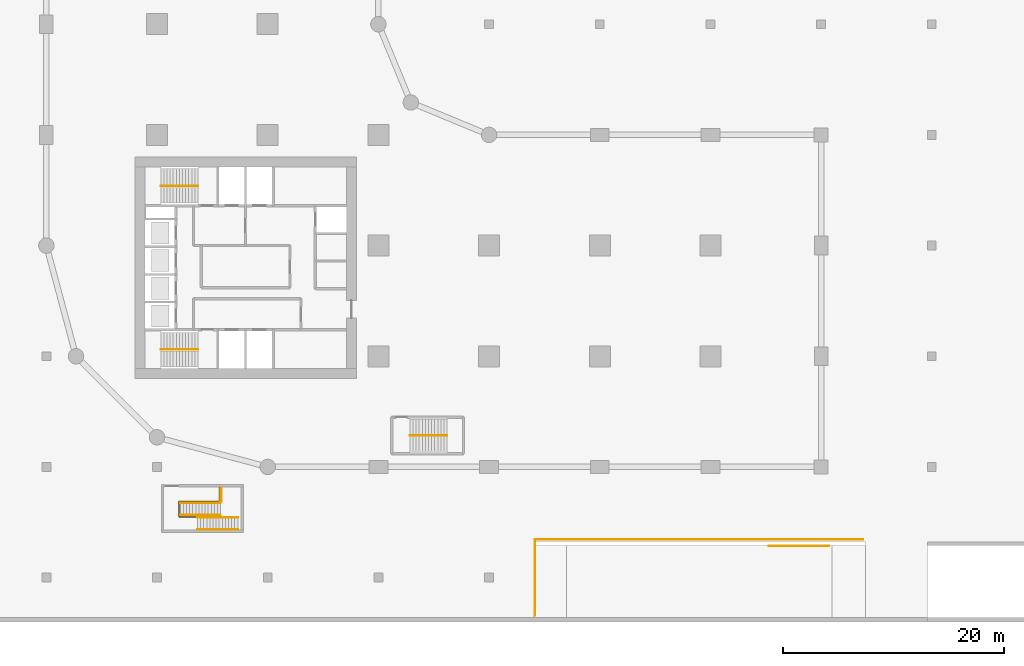
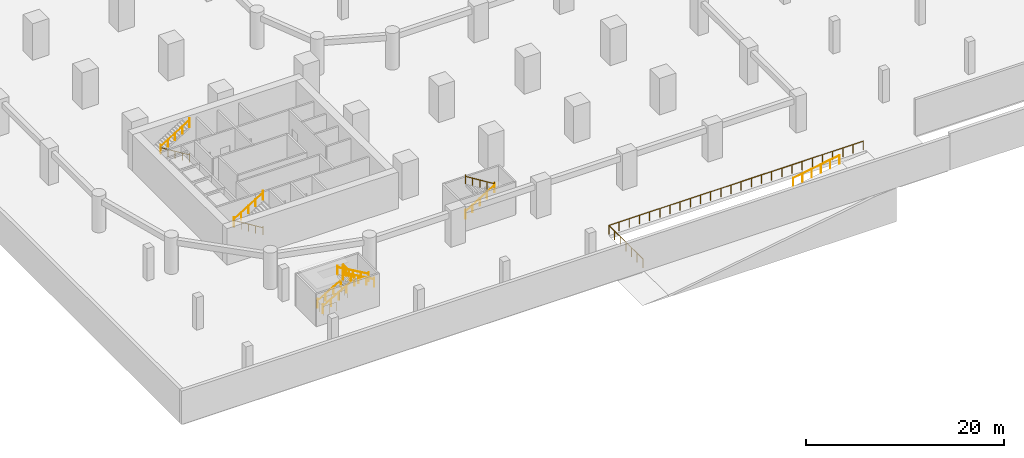
# One storey, part 14 of 19: 14 railings.
"""IFC4 building model written with IfcOpenShell, lengths in metres."""

from ifc_helpers import new_model, si_unit, direction, frame, origin, origin_2d, place, context, subcontext, project, spatial, circle, extrude, material, type_object, element, save


model = new_model("IFC4")

# Units and contexts
model_context = context("Model", 3, precision=1e-05, world=origin(), true_north=direction((0.0, 1.0)))
body_context = subcontext(model_context, "Body", "Model", "MODEL_VIEW")
ifc_project = project(units=[si_unit("LENGTHUNIT", "METRE"), si_unit("AREAUNIT", "SQUARE_METRE"), si_unit("VOLUMEUNIT", "CUBIC_METRE"), si_unit("PLANEANGLEUNIT", "RADIAN"), si_unit("MASSUNIT", "GRAM", prefix="KILO")], contexts=[model_context])

# Site, building, storey
site_placement = place(None, origin())
site = spatial("IfcSite", under=ifc_project, at=site_placement, CompositionType="ELEMENT")
building_placement = place(site_placement, origin())
building = spatial("IfcBuilding", under=site, at=building_placement, Name="Qaws Garden Tower", CompositionType="ELEMENT")
storey_placement = place(building_placement, frame((0.0, 0.0, -4.5)))
storey = spatial("IfcBuildingStorey", under=building, at=storey_placement, Name="B1", CompositionType="ELEMENT", Elevation=-4.5)

# Railings
ifc_material_1 = material(Name="Steel S355", Category="steel")
railing_type_1 = type_object("IfcRailingType", Name="Guard steel balustrade 1100", PredefinedType="GUARDRAIL", material=ifc_material_1)
railing_1_placement = place(storey_placement, frame((70.699951171875, -7.139892578125, -0.300048828125)))
element("IfcRailing", 1, at=railing_1_placement, inside=storey, type_object=railing_type_1, Name="Ramp B2 guard on ramp", PredefinedType="GUARDRAIL", context=body_context, shape_type="SweptSolid", body=[
    extrude(circle(Radius=0.02392578125, at=origin_2d()), frame((0.0, 0.0, 1.076171875), z_axis=(-0.986396334374, 0.0, -0.164384523397), x_axis=(0.0, -1.0, 0.0)), (0.0, 0.0, 1.0), 5.474365234375),
    extrude(circle(Radius=0.02099609375, at=origin_2d()), origin(), (0.0, 0.0, 1.0), 1.052001953125),
    extrude(circle(Radius=0.02099609375, at=origin_2d()), frame((-1.080078125, 0.0, -0.179931640625)), (0.0, 0.0, 1.0), 1.052001953125),
    extrude(circle(Radius=0.02099609375, at=origin_2d()), frame((-2.159912109375, 0.0, -0.35986328125)), (0.0, 0.0, 1.0), 1.052001953125),
    extrude(circle(Radius=0.02099609375, at=origin_2d()), frame((-3.239990234375, 0.0, -0.5400390625)), (0.0, 0.0, 1.0), 1.052001953125),
    extrude(circle(Radius=0.02099609375, at=origin_2d()), frame((-4.31982421875, 0.0, -0.719970703125)), (0.0, 0.0, 1.0), 1.052001953125),
    extrude(circle(Radius=0.02099609375, at=origin_2d()), frame((-5.39990234375, 0.0, -0.89990234375)), (0.0, 0.0, 1.0), 1.052001953125),
])
railing_2_placement = place(storey_placement, frame((73.800048828125, -6.550048828125, 0.0)))
element("IfcRailing", 2, at=railing_2_placement, inside=storey, type_object=railing_type_1, Name="Ramp B2 guard", PredefinedType="GUARDRAIL", context=body_context, shape_type="SweptSolid", body=[
    extrude(circle(Radius=0.02392578125, at=origin_2d()), frame((0.0, 0.0, 1.076171875), z_axis=(-1.0, 0.0, 0.0), x_axis=(0.0, -1.0, 0.0)), (0.0, 0.0, 1.0), 29.650146484375),
    extrude(circle(Radius=0.02392578125, at=origin_2d()), frame((-29.650146484375, 0.0, 1.076171875), z_axis=(0.0, -1.0, 0.0), x_axis=(1.0, 0.0, 0.0)), (0.0, 0.0, 1.0), 6.849853515625),
    extrude(circle(Radius=0.02099609375, at=origin_2d()), origin(), (0.0, 0.0, 1.0), 1.052001953125),
    extrude(circle(Radius=0.02099609375, at=origin_2d()), frame((-1.18603515625, 0.0, 0.0)), (0.0, 0.0, 1.0), 1.052001953125),
    extrude(circle(Radius=0.02099609375, at=origin_2d()), frame((-2.3720703125, 0.0, 0.0)), (0.0, 0.0, 1.0), 1.052001953125),
    extrude(circle(Radius=0.02099609375, at=origin_2d()), frame((-3.55810546875, 0.0, 0.0)), (0.0, 0.0, 1.0), 1.052001953125),
    extrude(circle(Radius=0.02099609375, at=origin_2d()), frame((-4.744140625, 0.0, 0.0)), (0.0, 0.0, 1.0), 1.052001953125),
    extrude(circle(Radius=0.02099609375, at=origin_2d()), frame((-5.929931640625, 0.0, 0.0)), (0.0, 0.0, 1.0), 1.052001953125),
    extrude(circle(Radius=0.02099609375, at=origin_2d()), frame((-7.115966796875, 0.0, 0.0)), (0.0, 0.0, 1.0), 1.052001953125),
    extrude(circle(Radius=0.02099609375, at=origin_2d()), frame((-8.302001953125, 0.0, 0.0)), (0.0, 0.0, 1.0), 1.052001953125),
    extrude(circle(Radius=0.02099609375, at=origin_2d()), frame((-9.488037109375, 0.0, 0.0)), (0.0, 0.0, 1.0), 1.052001953125),
    extrude(circle(Radius=0.02099609375, at=origin_2d()), frame((-10.674072265625, 0.0, 0.0)), (0.0, 0.0, 1.0), 1.052001953125),
    extrude(circle(Radius=0.02099609375, at=origin_2d()), frame((-11.860107421875, 0.0, 0.0)), (0.0, 0.0, 1.0), 1.052001953125),
    extrude(circle(Radius=0.02099609375, at=origin_2d()), frame((-13.046142578125, 0.0, 0.0)), (0.0, 0.0, 1.0), 1.052001953125),
    extrude(circle(Radius=0.02099609375, at=origin_2d()), frame((-14.232177734375, 0.0, 0.0)), (0.0, 0.0, 1.0), 1.052001953125),
    extrude(circle(Radius=0.02099609375, at=origin_2d()), frame((-15.41796875, 0.0, 0.0)), (0.0, 0.0, 1.0), 1.052001953125),
    extrude(circle(Radius=0.02099609375, at=origin_2d()), frame((-16.60400390625, 0.0, 0.0)), (0.0, 0.0, 1.0), 1.052001953125),
    extrude(circle(Radius=0.02099609375, at=origin_2d()), frame((-17.7900390625, 0.0, 0.0)), (0.0, 0.0, 1.0), 1.052001953125),
    extrude(circle(Radius=0.02099609375, at=origin_2d()), frame((-18.97607421875, 0.0, 0.0)), (0.0, 0.0, 1.0), 1.052001953125),
    extrude(circle(Radius=0.02099609375, at=origin_2d()), frame((-20.162109375, 0.0, 0.0)), (0.0, 0.0, 1.0), 1.052001953125),
    extrude(circle(Radius=0.02099609375, at=origin_2d()), frame((-21.34814453125, 0.0, 0.0)), (0.0, 0.0, 1.0), 1.052001953125),
    extrude(circle(Radius=0.02099609375, at=origin_2d()), frame((-22.5341796875, 0.0, 0.0)), (0.0, 0.0, 1.0), 1.052001953125),
    extrude(circle(Radius=0.02099609375, at=origin_2d()), frame((-23.72021484375, 0.0, 0.0)), (0.0, 0.0, 1.0), 1.052001953125),
    extrude(circle(Radius=0.02099609375, at=origin_2d()), frame((-24.906005859375, 0.0, 0.0)), (0.0, 0.0, 1.0), 1.052001953125),
    extrude(circle(Radius=0.02099609375, at=origin_2d()), frame((-26.092041015625, 0.0, 0.0)), (0.0, 0.0, 1.0), 1.052001953125),
    extrude(circle(Radius=0.02099609375, at=origin_2d()), frame((-27.278076171875, 0.0, 0.0)), (0.0, 0.0, 1.0), 1.052001953125),
    extrude(circle(Radius=0.02099609375, at=origin_2d()), frame((-28.464111328125, 0.0, 0.0)), (0.0, 0.0, 1.0), 1.052001953125),
    extrude(circle(Radius=0.02099609375, at=origin_2d()), frame((-29.650146484375, 0.0, 0.0)), (0.0, 0.0, 1.0), 1.052001953125),
    extrude(circle(Radius=0.02099609375, at=origin_2d()), frame((-29.650146484375, -1.1416015625, 0.0)), (0.0, 0.0, 1.0), 1.052001953125),
    extrude(circle(Radius=0.02099609375, at=origin_2d()), frame((-29.650146484375, -2.283203125, 0.0)), (0.0, 0.0, 1.0), 1.052001953125),
    extrude(circle(Radius=0.02099609375, at=origin_2d()), frame((-29.650146484375, -3.4248046875, 0.0)), (0.0, 0.0, 1.0), 1.052001953125),
    extrude(circle(Radius=0.02099609375, at=origin_2d()), frame((-29.650146484375, -4.566650390625, 0.0)), (0.0, 0.0, 1.0), 1.052001953125),
    extrude(circle(Radius=0.02099609375, at=origin_2d()), frame((-29.650146484375, -5.708251953125, 0.0)), (0.0, 0.0, 1.0), 1.052001953125),
    extrude(circle(Radius=0.02099609375, at=origin_2d()), frame((-29.650146484375, -6.849853515625, 0.0)), (0.0, 0.0, 1.0), 1.052001953125),
])
railing_3_placement = place(storey_placement, frame((15.639892578125, -1.89990234375, 0.0)))
element("IfcRailing", 3, at=railing_3_placement, inside=storey, type_object=railing_type_1, Name="Stair opening guard", PredefinedType="GUARDRAIL", context=body_context, shape_type="SweptSolid", body=[
    extrude(circle(Radius=0.02392578125, at=origin_2d()), frame((0.0, 0.0, 1.076171875), z_axis=(0.0, -1.0, 0.0), x_axis=(1.0, 0.0, 0.0)), (0.0, 0.0, 1.0), 1.2001953125),
    extrude(circle(Radius=0.02392578125, at=origin_2d()), frame((0.0, -1.2001953125, 1.076171875), z_axis=(-1.0, 0.0, 0.0), x_axis=(0.0, -1.0, 0.0)), (0.0, 0.0, 1.0), 3.639892578125),
    extrude(circle(Radius=0.02392578125, at=origin_2d()), frame((-3.639892578125, -1.2001953125, 1.076171875), z_axis=(0.0, -1.0, 0.0), x_axis=(1.0, 0.0, 0.0)), (0.0, 0.0, 1.0), 1.39990234375),
    extrude(circle(Radius=0.02392578125, at=origin_2d()), frame((-3.639892578125, -2.60009765625, 1.076171875), z_axis=(1.0, 0.0, 0.0), x_axis=(0.0, 1.0, 0.0)), (0.0, 0.0, 1.0), 1.56005859375),
    extrude(circle(Radius=0.02099609375, at=origin_2d()), origin(), (0.0, 0.0, 1.0), 1.052001953125),
    extrude(circle(Radius=0.02099609375, at=origin_2d()), frame((0.0, -0.60009765625, 0.0)), (0.0, 0.0, 1.0), 1.052001953125),
    extrude(circle(Radius=0.02099609375, at=origin_2d()), frame((0.0, -1.2001953125, 0.0)), (0.0, 0.0, 1.0), 1.052001953125),
    extrude(circle(Radius=0.02099609375, at=origin_2d()), frame((-0.909912109375, -1.2001953125, 0.0)), (0.0, 0.0, 1.0), 1.052001953125),
    extrude(circle(Radius=0.02099609375, at=origin_2d()), frame((-1.81982421875, -1.2001953125, 0.0)), (0.0, 0.0, 1.0), 1.052001953125),
    extrude(circle(Radius=0.02099609375, at=origin_2d()), frame((-2.72998046875, -1.2001953125, 0.0)), (0.0, 0.0, 1.0), 1.052001953125),
    extrude(circle(Radius=0.02099609375, at=origin_2d()), frame((-3.639892578125, -1.2001953125, 0.0)), (0.0, 0.0, 1.0), 1.052001953125),
    extrude(circle(Radius=0.02099609375, at=origin_2d()), frame((-3.639892578125, -1.900146484375, 0.0)), (0.0, 0.0, 1.0), 1.052001953125),
    extrude(circle(Radius=0.02099609375, at=origin_2d()), frame((-3.639892578125, -2.60009765625, 0.0)), (0.0, 0.0, 1.0), 1.052001953125),
    extrude(circle(Radius=0.02099609375, at=origin_2d()), frame((-2.85986328125, -2.60009765625, 0.0)), (0.0, 0.0, 1.0), 1.052001953125),
    extrude(circle(Radius=0.02099609375, at=origin_2d()), frame((-2.079833984375, -2.60009765625, 0.0)), (0.0, 0.0, 1.0), 1.052001953125),
])
railing_4_placement = place(storey_placement, frame((15.840087890625, -1.89990234375, 2.25)))
element("IfcRailing", 4, at=railing_4_placement, inside=storey, type_object=railing_type_1, Name="Stair landing guard", PredefinedType="GUARDRAIL", context=body_context, shape_type="SweptSolid", body=[
    extrude(circle(Radius=0.02392578125, at=origin_2d()), frame((0.0, 0.0, 1.076171875), z_axis=(0.0, -1.0, 0.0), x_axis=(1.0, 0.0, 0.0)), (0.0, 0.0, 1.0), 1.2001953125),
    extrude(circle(Radius=0.02099609375, at=origin_2d()), origin(), (0.0, 0.0, 1.0), 1.052001953125),
    extrude(circle(Radius=0.02099609375, at=origin_2d()), frame((0.0, -0.60009765625, 0.0)), (0.0, 0.0, 1.0), 1.052001953125),
    extrude(circle(Radius=0.02099609375, at=origin_2d()), frame((0.0, -1.2001953125, 0.0)), (0.0, 0.0, 1.0), 1.052001953125),
])
ifc_material_2 = material(Name="Stainless steel 316", Category="steel")
railing_type_2 = type_object("IfcRailingType", Name="Handrail 900", PredefinedType="HANDRAIL", material=ifc_material_2)
for number, where, name in (
    (5, (12.10009765625, -3.25, 0.16064453125), "Stair handrail"),
    (6, (12.10009765625, -4.35009765625, 0.16064453125), "Stair handrail"),
):
    element("IfcRailing", number, at=place(storey_placement, frame(where)), inside=storey, type_object=railing_type_2, Name=name, PredefinedType="HANDRAIL", context=body_context, shape_type="SweptSolid", body=[
        extrude(circle(Radius=0.02392578125, at=origin_2d()), frame((0.0, 0.0, 0.8759765625), z_axis=(0.8672749571, 0.0, 0.497829437445), x_axis=(0.0, 1.0, 0.0)), (0.0, 0.0, 1.0), 4.197021484375),
        extrude(circle(Radius=0.02099609375, at=origin_2d()), origin(), (0.0, 0.0, 1.0), 1.06103515625),
        extrude(circle(Radius=0.02099609375, at=origin_2d()), frame((0.909912109375, 0.0, 0.5224609375)), (0.0, 0.0, 1.0), 0.851806640625),
        extrude(circle(Radius=0.02099609375, at=origin_2d()), frame((1.81982421875, 0.0, 1.044677734375)), (0.0, 0.0, 1.0), 0.851806640625),
        extrude(circle(Radius=0.02099609375, at=origin_2d()), frame((2.72998046875, 0.0, 1.56689453125)), (0.0, 0.0, 1.0), 0.851806640625),
        extrude(circle(Radius=0.02099609375, at=origin_2d()), frame((3.639892578125, 0.0, 2.08935546875)), (0.0, 0.0, 1.0), 1.06103515625),
    ])
for number, where, name in (
    (7, (17.300048828125, -4.550048828125, 2.41064453125), "Stair handrail"),
    (8, (17.300048828125, -5.64990234375, 2.41064453125), "Stair handrail"),
):
    element("IfcRailing", number, at=place(storey_placement, frame(where)), inside=storey, type_object=railing_type_2, Name=name, PredefinedType="HANDRAIL", context=body_context, shape_type="SweptSolid", body=[
        extrude(circle(Radius=0.02392578125, at=origin_2d()), frame((0.0, 0.0, 0.8759765625), z_axis=(-0.867289372828, 0.0, 0.497804322781), x_axis=(0.0, -1.0, 0.0)), (0.0, 0.0, 1.0), 4.197021484375),
        extrude(circle(Radius=0.02099609375, at=origin_2d()), origin(), (0.0, 0.0, 1.0), 1.06103515625),
        extrude(circle(Radius=0.02099609375, at=origin_2d()), frame((-0.91015625, 0.0, 0.5224609375)), (0.0, 0.0, 1.0), 0.851806640625),
        extrude(circle(Radius=0.02099609375, at=origin_2d()), frame((-1.820068359375, 0.0, 1.044677734375)), (0.0, 0.0, 1.0), 0.851806640625),
        extrude(circle(Radius=0.02099609375, at=origin_2d()), frame((-2.72998046875, 0.0, 1.56689453125)), (0.0, 0.0, 1.0), 0.851806640625),
        extrude(circle(Radius=0.02099609375, at=origin_2d()), frame((-3.64013671875, 0.0, 2.08935546875)), (0.0, 0.0, 1.0), 1.06103515625),
    ])
ifc_material_3 = material(Name="Steel S355", Category="steel")
railing_type_3 = type_object("IfcRailingType", Name="Stair handrail 900", PredefinedType="HANDRAIL", material=ifc_material_3)
railing_5_placement = place(storey_placement, frame((13.699951171875, 10.60009765625, 0.173095703125)))
element("IfcRailing", 9, at=railing_5_placement, inside=storey, type_object=railing_type_3, Name="Stair 1 handrail", PredefinedType="HANDRAIL", context=body_context, shape_type="SweptSolid", body=[
    extrude(circle(Radius=0.02392578125, at=origin_2d()), frame((0.0, 0.0, 0.8759765625), z_axis=(-0.850606129759, 0.0, 0.525803396734), x_axis=(0.0, -1.0, 0.0)), (0.0, 0.0, 1.0), 3.949951171875),
    extrude(circle(Radius=0.02099609375, at=origin_2d()), origin(), (0.0, 0.0, 1.0), 1.072998046875),
    extrude(circle(Radius=0.02099609375, at=origin_2d()), frame((-0.83984375, 0.0, 0.519287109375)), (0.0, 0.0, 1.0), 0.851806640625),
    extrude(circle(Radius=0.02099609375, at=origin_2d()), frame((-1.679931640625, 0.0, 1.03857421875)), (0.0, 0.0, 1.0), 0.851806640625),
    extrude(circle(Radius=0.02099609375, at=origin_2d()), frame((-2.52001953125, 0.0, 1.5576171875)), (0.0, 0.0, 1.0), 0.851806640625),
    extrude(circle(Radius=0.02099609375, at=origin_2d()), frame((-3.35986328125, 0.0, 2.076904296875)), (0.0, 0.0, 1.0), 1.072998046875),
])
railing_6_placement = place(storey_placement, frame((10.340087890625, 10.60009765625, 2.423095703125)))
element("IfcRailing", 10, at=railing_6_placement, inside=storey, type_object=railing_type_3, Name="Stair 1 handrail", PredefinedType="HANDRAIL", context=body_context, shape_type="SweptSolid", body=[
    extrude(circle(Radius=0.02392578125, at=origin_2d()), frame((0.0, 0.0, 0.8759765625), z_axis=(0.850606129759, 0.0, 0.525803396734), x_axis=(0.0, 1.0, 0.0)), (0.0, 0.0, 1.0), 3.949951171875),
    extrude(circle(Radius=0.02099609375, at=origin_2d()), origin(), (0.0, 0.0, 1.0), 1.072998046875),
    extrude(circle(Radius=0.02099609375, at=origin_2d()), frame((0.83984375, 0.0, 0.519287109375)), (0.0, 0.0, 1.0), 0.851806640625),
    extrude(circle(Radius=0.02099609375, at=origin_2d()), frame((1.679931640625, 0.0, 1.03857421875)), (0.0, 0.0, 1.0), 0.851806640625),
    extrude(circle(Radius=0.02099609375, at=origin_2d()), frame((2.52001953125, 0.0, 1.5576171875)), (0.0, 0.0, 1.0), 0.851806640625),
    extrude(circle(Radius=0.02099609375, at=origin_2d()), frame((3.35986328125, 0.0, 2.076904296875)), (0.0, 0.0, 1.0), 1.072998046875),
])
railing_7_placement = place(storey_placement, frame((13.699951171875, 25.39990234375, 0.173095703125)))
element("IfcRailing", 11, at=railing_7_placement, inside=storey, type_object=railing_type_3, Name="Stair 4 handrail", PredefinedType="HANDRAIL", context=body_context, shape_type="SweptSolid", body=[
    extrude(circle(Radius=0.02392578125, at=origin_2d()), frame((0.0, 0.0, 0.8759765625), z_axis=(-0.850606129759, 0.0, 0.525803396734), x_axis=(0.0, -1.0, 0.0)), (0.0, 0.0, 1.0), 3.949951171875),
    extrude(circle(Radius=0.02099609375, at=origin_2d()), origin(), (0.0, 0.0, 1.0), 1.072998046875),
    extrude(circle(Radius=0.02099609375, at=origin_2d()), frame((-0.83984375, 0.0, 0.519287109375)), (0.0, 0.0, 1.0), 0.851806640625),
    extrude(circle(Radius=0.02099609375, at=origin_2d()), frame((-1.679931640625, 0.0, 1.03857421875)), (0.0, 0.0, 1.0), 0.851806640625),
    extrude(circle(Radius=0.02099609375, at=origin_2d()), frame((-2.52001953125, 0.0, 1.5576171875)), (0.0, 0.0, 1.0), 0.851806640625),
    extrude(circle(Radius=0.02099609375, at=origin_2d()), frame((-3.35986328125, 0.0, 2.076904296875)), (0.0, 0.0, 1.0), 1.072998046875),
])
for number, where, name in (
    (12, (10.340087890625, 25.39990234375, 2.423095703125), "Stair 4 handrail"),
    (13, (32.85009765625, 2.85009765625, 0.173095703125), "Stair 5 handrail"),
):
    element("IfcRailing", number, at=place(storey_placement, frame(where)), inside=storey, type_object=railing_type_3, Name=name, PredefinedType="HANDRAIL", context=body_context, shape_type="SweptSolid", body=[
        extrude(circle(Radius=0.02392578125, at=origin_2d()), frame((0.0, 0.0, 0.8759765625), z_axis=(0.850606129759, 0.0, 0.525803396734), x_axis=(0.0, 1.0, 0.0)), (0.0, 0.0, 1.0), 3.949951171875),
        extrude(circle(Radius=0.02099609375, at=origin_2d()), origin(), (0.0, 0.0, 1.0), 1.072998046875),
        extrude(circle(Radius=0.02099609375, at=origin_2d()), frame((0.83984375, 0.0, 0.519287109375)), (0.0, 0.0, 1.0), 0.851806640625),
        extrude(circle(Radius=0.02099609375, at=origin_2d()), frame((1.679931640625, 0.0, 1.03857421875)), (0.0, 0.0, 1.0), 0.851806640625),
        extrude(circle(Radius=0.02099609375, at=origin_2d()), frame((2.52001953125, 0.0, 1.5576171875)), (0.0, 0.0, 1.0), 0.851806640625),
        extrude(circle(Radius=0.02099609375, at=origin_2d()), frame((3.35986328125, 0.0, 2.076904296875)), (0.0, 0.0, 1.0), 1.072998046875),
    ])
railing_8_placement = place(storey_placement, frame((36.2099609375, 2.85009765625, 2.423095703125)))
element("IfcRailing", 14, at=railing_8_placement, inside=storey, type_object=railing_type_3, Name="Stair 5 handrail", PredefinedType="HANDRAIL", context=body_context, shape_type="SweptSolid", body=[
    extrude(circle(Radius=0.02392578125, at=origin_2d()), frame((0.0, 0.0, 0.8759765625), z_axis=(-0.850606129759, 0.0, 0.525803396734), x_axis=(0.0, -1.0, 0.0)), (0.0, 0.0, 1.0), 3.949951171875),
    extrude(circle(Radius=0.02099609375, at=origin_2d()), origin(), (0.0, 0.0, 1.0), 1.072998046875),
    extrude(circle(Radius=0.02099609375, at=origin_2d()), frame((-0.83984375, 0.0, 0.519287109375)), (0.0, 0.0, 1.0), 0.851806640625),
    extrude(circle(Radius=0.02099609375, at=origin_2d()), frame((-1.679931640625, 0.0, 1.03857421875)), (0.0, 0.0, 1.0), 0.851806640625),
    extrude(circle(Radius=0.02099609375, at=origin_2d()), frame((-2.52001953125, 0.0, 1.5576171875)), (0.0, 0.0, 1.0), 0.851806640625),
    extrude(circle(Radius=0.02099609375, at=origin_2d()), frame((-3.35986328125, 0.0, 2.076904296875)), (0.0, 0.0, 1.0), 1.072998046875),
])

save(model, "model.ifc")
